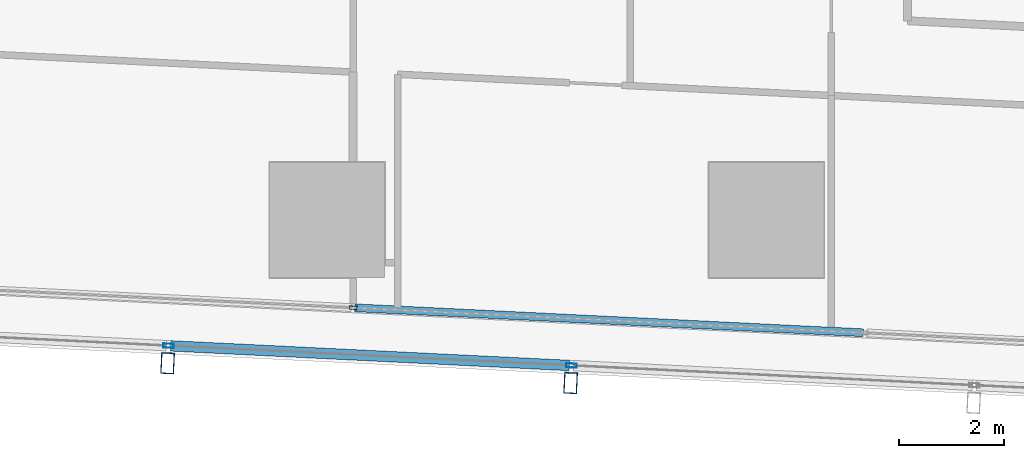
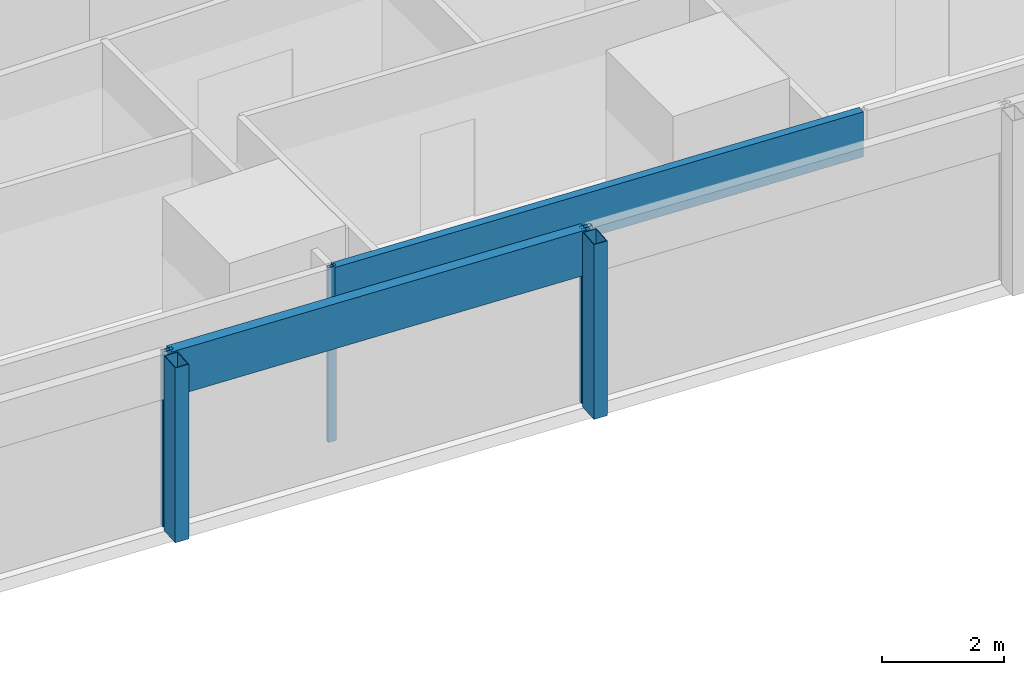
# One storey, part 5 of 45: 7 members, 2 elements without a shape of their own.
"""IFC4 building model written with IfcOpenShell, lengths in metres."""

from ifc_helpers import new_model, si_unit, direction, frame, origin, origin_2d, place, context, subcontext, project, spatial, hollow_rectangle, extrude, material, material_profile, profile_set, type_object, element, aggregate, save


model = new_model("IFC4")

# Units and contexts
model_context = context("Model", 3, precision=1e-05, world=origin(), true_north=direction((0.0, 1.0)))
body_context = subcontext(model_context, "Body", "Model", "MODEL_VIEW")
ifc_project = project(units=[si_unit("LENGTHUNIT", "METRE"), si_unit("AREAUNIT", "SQUARE_METRE"), si_unit("VOLUMEUNIT", "CUBIC_METRE"), si_unit("PLANEANGLEUNIT", "RADIAN"), si_unit("MASSUNIT", "GRAM", prefix="KILO")], contexts=[model_context])

# Site, building, storey
site_placement = place(None, origin())
site = spatial("IfcSite", under=ifc_project, at=site_placement, CompositionType="ELEMENT")
building_placement = place(site_placement, origin())
building = spatial("IfcBuilding", under=site, at=building_placement, Name="Rekha Terrace Tower", CompositionType="ELEMENT")
storey_placement = place(building_placement, frame((0.0, 0.0, 32.89990234375)))
storey = spatial("IfcBuildingStorey", under=building, at=storey_placement, Name="L07", CompositionType="ELEMENT", Elevation=32.89990234375)

# Curtain wall, members
ifc_material_1 = material(Name="Aluminium framing", Category="aluminium")
curtain_wall_type_1 = type_object("IfcCurtainWallType", Name="CW2 double skin outer glazing", PredefinedType="USERDEFINED", material=ifc_material_1)
curtain_wall_1_placement = place(storey_placement, origin())
curtain_wall_1 = element("IfcCurtainWall", 1, at=curtain_wall_1_placement, inside=storey, type_object=curtain_wall_type_1, Name="CW2 double skin outer glazing", ObjectType="DOUBLE SKIN OUTER GLAZING", PredefinedType="USERDEFINED")
ifc_material_2 = material(Name="Steel S355 with fluorocarbon finish", Category="steel")
ifc_material_profile_1 = material_profile(ifc_material_2, hollow_rectangle(XDim=0.25, YDim=0.39990234375, WallThickness=0.012451171875, at=origin_2d()), Name="RHS400x250x12.5")
ifc_profile_set_1 = profile_set([ifc_material_profile_1], Name="Steel S355 with fluorocarbon finish")
member_type_1 = type_object("IfcMemberType", Name="BL1 facade blade RHS 400 x 250", PredefinedType="USERDEFINED", material=ifc_profile_set_1)
member_1_placement = place(storey_placement, frame((22.14990234375, 5.6611328125, 0.0), z_axis=(0.0, 0.0, 1.0), x_axis=(0.998796226835, -0.049051985279, 0.0)))
member_1 = element("IfcMember", 2, at=member_1_placement, type_object=member_type_1, Name="Facade blade", ObjectType="FACADE BLADE", PredefinedType="USERDEFINED", context=body_context, shape_type="SweptSolid", body=[
    extrude(hollow_rectangle(XDim=0.25, YDim=0.39990234375, WallThickness=0.012451171875, at=origin_2d()), origin(), (0.0, 0.0, 1.0), 3.5),
])
member_2_placement = place(storey_placement, frame((29.856201171875, 5.28271484375, 0.0), z_axis=(0.0, 0.0, 1.0), x_axis=(0.998796226835, -0.049051985279, 0.0)))
member_2 = element("IfcMember", 3, at=member_2_placement, type_object=member_type_1, Name="Facade blade", ObjectType="FACADE BLADE", PredefinedType="USERDEFINED", context=body_context, shape_type="SweptSolid", body=[
    extrude(hollow_rectangle(XDim=0.25, YDim=0.39990234375, WallThickness=0.012451171875, at=origin_2d()), origin(), (0.0, 0.0, 1.0), 3.5),
])

curtain_wall_type_2 = type_object("IfcCurtainWallType", Name="CW1 double skin inner glazing", PredefinedType="USERDEFINED", material=ifc_material_1)
curtain_wall_2_placement = place(storey_placement, origin())
curtain_wall_2 = element("IfcCurtainWall", 4, at=curtain_wall_2_placement, inside=storey, type_object=curtain_wall_type_2, Name="CW1 double skin inner glazing", ObjectType="DOUBLE SKIN INNER GLAZING", PredefinedType="USERDEFINED")
ifc_material_3 = material(Name="Aluminium mullion section", Category="aluminium")
ifc_material_profile_2 = material_profile(ifc_material_3, hollow_rectangle(XDim=0.06494140625, YDim=0.14990234375, WallThickness=0.00390625, at=origin_2d()), Name="AL RHS 65x150")
ifc_profile_set_2 = profile_set([ifc_material_profile_2], Name="Aluminium mullion section")
member_type_2 = type_object("IfcMemberType", Name="CW1 mullion RHS 65 x 150", PredefinedType="MULLION", material=ifc_profile_set_2)
member_3_placement = place(storey_placement, frame((25.696044921875, 6.723388671875, 0.0), z_axis=(0.0, 0.0, 1.0), x_axis=(0.049051717746, 0.998796239974, 0.0)))
member_3 = element("IfcMember", 5, at=member_3_placement, type_object=member_type_2, Name="CW1 mullion 2", PredefinedType="MULLION", context=body_context, shape_type="SweptSolid", body=[
    extrude(hollow_rectangle(XDim=0.06494140625, YDim=0.14990234375, WallThickness=0.00390625, at=origin_2d()), origin(), (0.0, 0.0, 1.0), 3.5),
])
ifc_material_4 = material(Name="Insulated aluminium spandrel box", Category="aluminium")
ifc_material_profile_3 = material_profile(ifc_material_4, hollow_rectangle(XDim=0.14990234375, YDim=0.89990234375, WallThickness=0.0029296875, at=origin_2d()), Name="AL SPANDREL BOX 150x900")
ifc_profile_set_3 = profile_set([ifc_material_profile_3], Name="Insulated aluminium spandrel box")
member_type_3 = type_object("IfcMemberType", Name="CW1 spandrel transom 150 x 900", PredefinedType="USERDEFINED", material=ifc_profile_set_3)
member_4_placement = place(storey_placement, frame((25.728515625, 6.721923828125, 3.050048828125), z_axis=(0.998796042167, -0.049055745348, 0.0), x_axis=(0.049055745348, 0.998796042167, 0.0)))
member_4 = element("IfcMember", 6, at=member_4_placement, type_object=member_type_3, Name="CW1 spandrel transom 2", ObjectType="TRANSOM", PredefinedType="USERDEFINED", context=body_context, shape_type="SweptSolid", body=[
    extrude(hollow_rectangle(XDim=0.14990234375, YDim=0.89990234375, WallThickness=0.0029296875, at=origin_2d()), origin(), (0.0, 0.0, 1.0), 9.734619140625),
])
aggregate(curtain_wall_2, [member_3, member_4])

# Member
ifc_material_profile_4 = material_profile(ifc_material_3, hollow_rectangle(XDim=0.080078125, YDim=0.199951171875, WallThickness=0.00390625, at=origin_2d()), Name="AL RHS 80x200")
ifc_profile_set_4 = profile_set([ifc_material_profile_4], Name="Aluminium mullion section")
member_type_4 = type_object("IfcMemberType", Name="CW2 mullion RHS 80 x 200", PredefinedType="MULLION", material=ifc_profile_set_4)
member_5_placement = place(storey_placement, frame((22.166259765625, 5.99560546875, 0.0), z_axis=(0.0, 0.0, 1.0), x_axis=(0.049051717746, 0.998796239974, 0.0)))
member_5 = element("IfcMember", 7, at=member_5_placement, type_object=member_type_4, Name="CW2 mullion 3", PredefinedType="MULLION", context=body_context, shape_type="SweptSolid", body=[
    extrude(hollow_rectangle(XDim=0.080078125, YDim=0.199951171875, WallThickness=0.00390625, at=origin_2d()), origin(), (0.0, 0.0, 1.0), 3.5),
])

member_6_placement = place(storey_placement, frame((29.872802734375, 5.6171875, 0.0), z_axis=(0.0, 0.0, 1.0), x_axis=(0.049051717746, 0.998796239974, 0.0)))
member_6 = element("IfcMember", 8, at=member_6_placement, type_object=member_type_4, Name="CW2 mullion 4", PredefinedType="MULLION", context=body_context, shape_type="SweptSolid", body=[
    extrude(hollow_rectangle(XDim=0.080078125, YDim=0.199951171875, WallThickness=0.00390625, at=origin_2d()), origin(), (0.0, 0.0, 1.0), 3.5),
])

ifc_material_profile_5 = material_profile(ifc_material_4, hollow_rectangle(XDim=0.199951171875, YDim=0.89990234375, WallThickness=0.0029296875, at=origin_2d()), Name="AL SPANDREL BOX 200x900")
ifc_profile_set_5 = profile_set([ifc_material_profile_5], Name="Insulated aluminium spandrel box")
member_type_5 = type_object("IfcMemberType", Name="CW2 spandrel transom 200 x 900", PredefinedType="USERDEFINED", material=ifc_profile_set_5)
member_7_placement = place(storey_placement, frame((22.206298828125, 5.99365234375, 3.050048828125), z_axis=(0.998796434643, -0.049047753721, 0.0), x_axis=(0.049047753721, 0.998796434643, 0.0)))
member_7 = element("IfcMember", 9, at=member_7_placement, type_object=member_type_5, Name="CW2 spandrel transom 3", ObjectType="TRANSOM", PredefinedType="USERDEFINED", context=body_context, shape_type="SweptSolid", body=[
    extrude(hollow_rectangle(XDim=0.199951171875, YDim=0.89990234375, WallThickness=0.0029296875, at=origin_2d()), origin(), (0.0, 0.0, 1.0), 7.6357421875),
])

aggregate(curtain_wall_1, [member_5, member_6, member_7, member_1, member_2])

save(model, "model.ifc")
